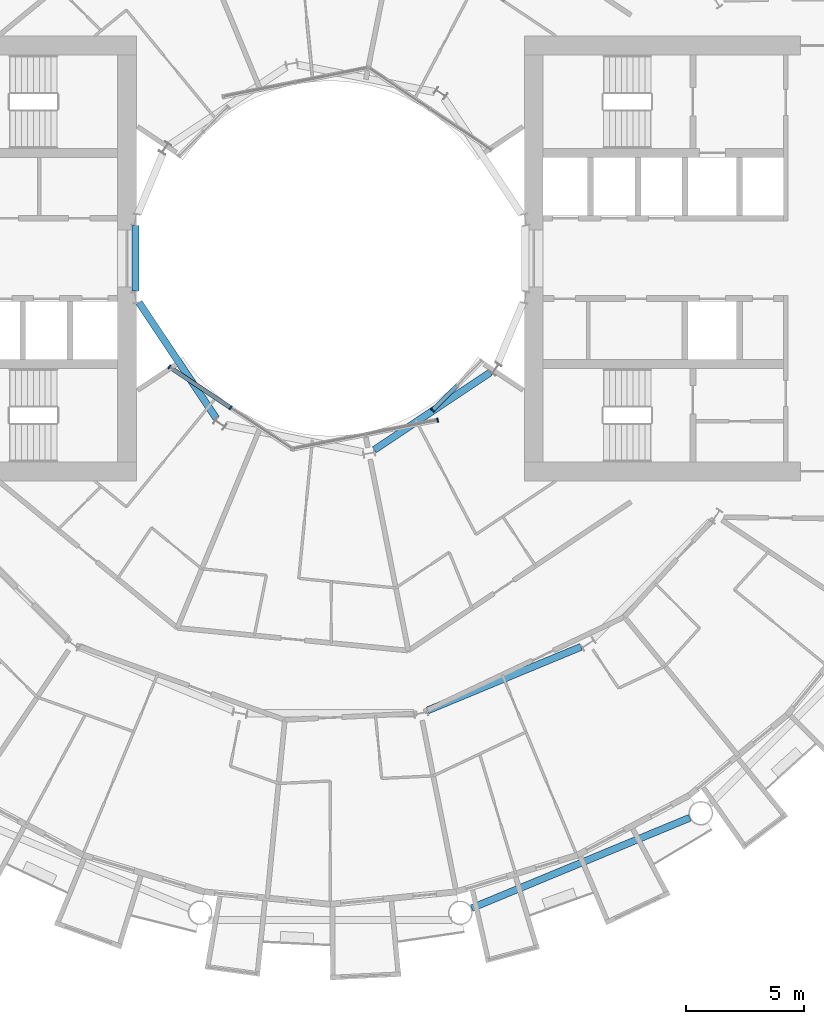
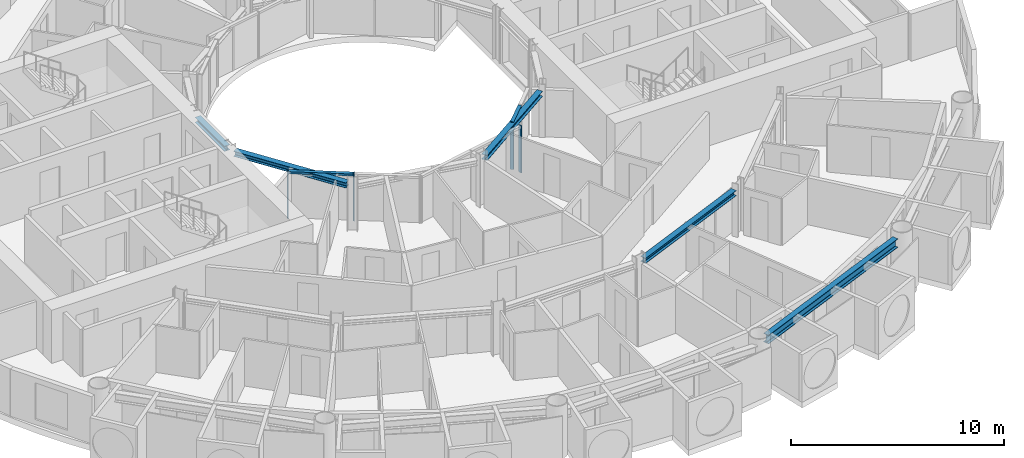
# One storey, part 5 of 26: 6 members, 5 beams, 3 elements without a shape of their own.
"""IFC4 building model written with IfcOpenShell, lengths in metres."""

from ifc_helpers import new_model, si_unit, direction, frame, origin, origin_2d, place, context, subcontext, project, spatial, rectangle, i_section, extrude, material, layer, layer_set, material_profile, profile_set, type_object, element, aggregate, save


model = new_model("IFC4")

# Units and contexts
model_context = context("Model", 3, precision=1e-05, world=origin(), true_north=direction((0.0, 1.0)))
body_context = subcontext(model_context, "Body", "Model", "MODEL_VIEW")
ifc_project = project(units=[si_unit("LENGTHUNIT", "METRE"), si_unit("AREAUNIT", "SQUARE_METRE"), si_unit("VOLUMEUNIT", "CUBIC_METRE"), si_unit("PLANEANGLEUNIT", "RADIAN"), si_unit("MASSUNIT", "GRAM", prefix="KILO")], contexts=[model_context])

# Site, building, storey
site_placement = place(None, origin())
site = spatial("IfcSite", under=ifc_project, at=site_placement, CompositionType="ELEMENT")
building_placement = place(site_placement, origin())
building = spatial("IfcBuilding", under=site, at=building_placement, Name="Maasbend Ring Residences", CompositionType="ELEMENT")
storey_placement = place(building_placement, frame((0.0, 0.0, 25.85009765625)))
storey = spatial("IfcBuildingStorey", under=building, at=storey_placement, Name="L06", CompositionType="ELEMENT", Elevation=25.85009765625)

# Curtain wall, members
ifc_material_1 = material(Name="Aluminium and clear glass", Category="aluminium")
ifc_layer = layer(ifc_material_1, 0.179931640625)
ifc_layer_set = layer_set([ifc_layer], Name="CW-W")
curtain_wall_type = type_object("IfcCurtainWallType", Name="CW-W", PredefinedType="NOTDEFINED", material=ifc_layer_set)
curtain_wall_1_placement = place(storey_placement, origin())
curtain_wall_1 = element("IfcCurtainWall", 1, at=curtain_wall_1_placement, inside=storey, type_object=curtain_wall_type, Name="Well curtain wall S1", PredefinedType="NOTDEFINED")
ifc_material_2 = material(Name="Aluminium 6063-T6", Category="aluminium")
ifc_material_profile_1 = material_profile(ifc_material_2, rectangle(XDim=0.179931640625, YDim=0.06005859375, at=origin_2d()), Name="AL 180x60")
ifc_profile_set_1 = profile_set([ifc_material_profile_1], Name="Aluminium 6063-T6")
member_type_1 = type_object("IfcMemberType", Name="CWM-W", PredefinedType="MULLION", material=ifc_profile_set_1)
member_1_placement = place(storey_placement, frame((-6.805908203125, -4.580810546875, 0.0), z_axis=(0.0, 0.0, 1.0), x_axis=(0.55557023302, 0.831469612303, 0.0)))
member_1 = element("IfcMember", 2, at=member_1_placement, type_object=member_type_1, Name="Mullion well face", PredefinedType="MULLION", context=body_context, shape_type="SweptSolid", body=[
    extrude(rectangle(XDim=0.179931640625, YDim=0.06005859375, at=origin_2d()), origin(), (0.0, 0.0, 1.0), 2.699951171875),
])
member_2_placement = place(storey_placement, frame((-4.216796875, -6.310791015625, 0.0), z_axis=(0.0, 0.0, 1.0), x_axis=(0.55557023302, 0.831469612303, 0.0)))
member_2 = element("IfcMember", 3, at=member_2_placement, type_object=member_type_1, Name="Mullion well face", PredefinedType="MULLION", context=body_context, shape_type="SweptSolid", body=[
    extrude(rectangle(XDim=0.179931640625, YDim=0.06005859375, at=origin_2d()), origin(), (0.0, 0.0, 1.0), 2.699951171875),
])

# Curtain wall, member
curtain_wall_2_placement = place(storey_placement, origin())
curtain_wall_2 = element("IfcCurtainWall", 4, at=curtain_wall_2_placement, inside=storey, type_object=curtain_wall_type, Name="Well curtain wall S2", PredefinedType="NOTDEFINED")
member_3_placement = place(storey_placement, frame((4.53466796875, -6.836669921875, 0.0), z_axis=(0.0, 0.0, 1.0), x_axis=(-0.195090322016, 0.980785280403, 0.0)))
member_3 = element("IfcMember", 5, at=member_3_placement, type_object=member_type_1, Name="Mullion well face", PredefinedType="MULLION", context=body_context, shape_type="SweptSolid", body=[
    extrude(rectangle(XDim=0.179931640625, YDim=0.06005859375, at=origin_2d()), origin(), (0.0, 0.0, 1.0), 2.699951171875),
])
aggregate(curtain_wall_2, [member_3])

curtain_wall_3_placement = place(storey_placement, origin())
curtain_wall_3 = element("IfcCurtainWall", 6, at=curtain_wall_3_placement, inside=storey, type_object=curtain_wall_type, Name="Well curtain wall S3", PredefinedType="NOTDEFINED")
member_4_placement = place(storey_placement, frame((4.320556640625, -6.413330078125, 0.0), z_axis=(0.0, 0.0, 1.0), x_axis=(-0.707106781187, 0.707106781187, 0.0)))
member_4 = element("IfcMember", 7, at=member_4_placement, type_object=member_type_1, Name="Mullion well face", PredefinedType="MULLION", context=body_context, shape_type="SweptSolid", body=[
    extrude(rectangle(XDim=0.179931640625, YDim=0.06005859375, at=origin_2d()), origin(), (0.0, 0.0, 1.0), 2.699951171875),
])

# Member
ifc_material_3 = material(Name="Aluminium 6063-T6", Category="aluminium")
ifc_material_profile_2 = material_profile(ifc_material_3, rectangle(XDim=0.179931640625, YDim=0.1201171875, at=origin_2d()), Name="AL 180x120")
ifc_profile_set_2 = profile_set([ifc_material_profile_2], Name="Aluminium 6063-T6")
member_type_2 = type_object("IfcMemberType", Name="CWT-W", PredefinedType="USERDEFINED", material=ifc_profile_set_2)
member_5_placement = place(storey_placement, frame((-6.781005859375, -4.59765625, 2.639892578125), z_axis=(0.831496422459, -0.555530106689, 0.0), x_axis=(0.555530106689, 0.831496422459, 0.0)))
member_5 = element("IfcMember", 8, at=member_5_placement, type_object=member_type_2, Name="Transom well face", ObjectType="TRANSOM", PredefinedType="USERDEFINED", context=body_context, shape_type="SweptSolid", body=[
    extrude(rectangle(XDim=0.179931640625, YDim=0.1201171875, at=origin_2d()), origin(), (0.0, 0.0, 1.0), 3.053955078125),
])

aggregate(curtain_wall_1, [member_1, member_2, member_5])

member_6_placement = place(storey_placement, frame((4.341796875, -6.39208984375, 2.639892578125), z_axis=(0.707106781187, 0.707106781187, 0.0), x_axis=(-0.707106781187, 0.707106781187, 0.0)))
member_6 = element("IfcMember", 9, at=member_6_placement, type_object=member_type_2, Name="Transom well face", ObjectType="TRANSOM", PredefinedType="USERDEFINED", context=body_context, shape_type="SweptSolid", body=[
    extrude(rectangle(XDim=0.179931640625, YDim=0.1201171875, at=origin_2d()), origin(), (0.0, 0.0, 1.0), 1.419677734375),
])

aggregate(curtain_wall_3, [member_4, member_6])

# Beams
ifc_material_4 = material(Name="Steel S355J2", Category="steel")
ifc_material_profile_3 = material_profile(ifc_material_4, i_section(OverallWidth=0.300048828125, OverallDepth=0.300048828125, WebThickness=0.010986328125, FlangeThickness=0.01904296875, FilletRadius=0.027099609375, at=origin_2d()), Name="HEB 300")
ifc_profile_set_3 = profile_set([ifc_material_profile_3], Name="Steel S355J2")
beam_type_1 = type_object("IfcBeamType", Name="Corridor ring beam HEB 300", PredefinedType="BEAM", material=ifc_profile_set_3)
beam_1_placement = place(storey_placement, frame((4.11572265625, -19.102294921875, 2.5498046875), z_axis=(0.923886196809, 0.38266734293, 0.0), x_axis=(-0.38266734293, 0.923886196809, 0.0)))
element("IfcBeam", 10, at=beam_1_placement, inside=storey, type_object=beam_type_1, Name="Corridor ring beam", PredefinedType="BEAM", context=body_context, shape_type="SweptSolid", body=[
    extrude(i_section(OverallWidth=0.300048828125, OverallDepth=0.300048828125, WebThickness=0.010986328125, FlangeThickness=0.01904296875, FilletRadius=0.027099609375, at=origin_2d()), origin(), (0.0, 0.0, 1.0), 7.015380859375),
])
ifc_material_5 = material(Name="Steel S355J2", Category="steel")
ifc_material_profile_4 = material_profile(ifc_material_5, i_section(OverallWidth=0.300048828125, OverallDepth=0.5, WebThickness=0.014404296875, FlangeThickness=0.028076171875, FilletRadius=0.027099609375, at=origin_2d()), Name="HEB 500")
ifc_profile_set_4 = profile_set([ifc_material_profile_4], Name="Steel S355J2")
beam_type_2 = type_object("IfcBeamType", Name="Spandrel ring beam HEB 500", PredefinedType="SPANDREL", material=ifc_profile_set_4)
beam_2_placement = place(storey_placement, frame((5.970703125, -27.463623046875, 2.449951171875), z_axis=(0.923886337442, 0.382667003395, 0.0), x_axis=(-0.382667003395, 0.923886337442, 0.0)))
element("IfcBeam", 11, at=beam_2_placement, inside=storey, type_object=beam_type_2, Name="Spandrel ring beam", PredefinedType="SPANDREL", context=body_context, shape_type="SweptSolid", body=[
    extrude(i_section(OverallWidth=0.300048828125, OverallDepth=0.5, WebThickness=0.014404296875, FlangeThickness=0.028076171875, FilletRadius=0.027099609375, at=origin_2d()), origin(), (0.0, 0.0, 1.0), 9.9873046875),
])
ifc_material_6 = material(Name="Steel S355J2", Category="steel")
ifc_material_profile_5 = material_profile(ifc_material_6, i_section(OverallWidth=0.300048828125, OverallDepth=0.300048828125, WebThickness=0.010986328125, FlangeThickness=0.01904296875, FilletRadius=0.027099609375, at=origin_2d()), Name="HEB 300")
ifc_profile_set_5 = profile_set([ifc_material_profile_5], Name="Steel S355J2")
beam_type_3 = type_object("IfcBeamType", Name="Well edge beam HEB 300", PredefinedType="BEAM", material=ifc_profile_set_5)
beam_3_placement = place(storey_placement, frame((-8.238525390625, 1.3837890625, 2.5498046875), z_axis=(0.0, -1.0, 0.0), x_axis=(1.0, 0.0, 0.0)))
element("IfcBeam", 12, at=beam_3_placement, inside=storey, type_object=beam_type_3, Name="Well edge beam", PredefinedType="BEAM", context=body_context, shape_type="SweptSolid", body=[
    extrude(i_section(OverallWidth=0.300048828125, OverallDepth=0.300048828125, WebThickness=0.010986328125, FlangeThickness=0.01904296875, FilletRadius=0.027099609375, at=origin_2d()), origin(), (0.0, 0.0, 1.0), 2.767578125),
])
for number, where, z_axis, x_axis, name in (
    (13, (-8.08837890625, -1.86376953125, 2.5498046875), (0.555589782054, -0.831456549723, 0.0), (0.831456549723, 0.555589782054, 0.0), "Well edge beam"),
    (14, (1.86376953125, -8.08837890625, 2.5498046875), (0.831456549723, 0.555589782054, 0.0), (-0.555589782054, 0.831456549723, 0.0), "Well edge beam"),
):
    element("IfcBeam", number, at=place(storey_placement, frame(where, z_axis=z_axis, x_axis=x_axis)), inside=storey, type_object=beam_type_3, Name=name, PredefinedType="BEAM", context=body_context, shape_type="SweptSolid", body=[
        extrude(i_section(OverallWidth=0.300048828125, OverallDepth=0.300048828125, WebThickness=0.010986328125, FlangeThickness=0.01904296875, FilletRadius=0.027099609375, at=origin_2d()), origin(), (0.0, 0.0, 1.0), 5.887939453125),
    ])

save(model, "model.ifc")
